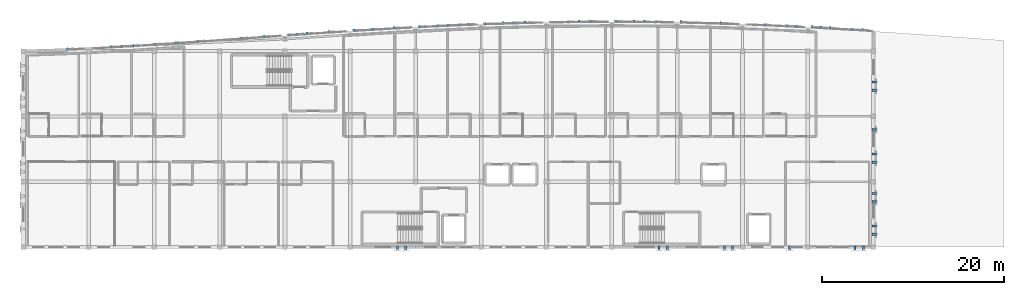
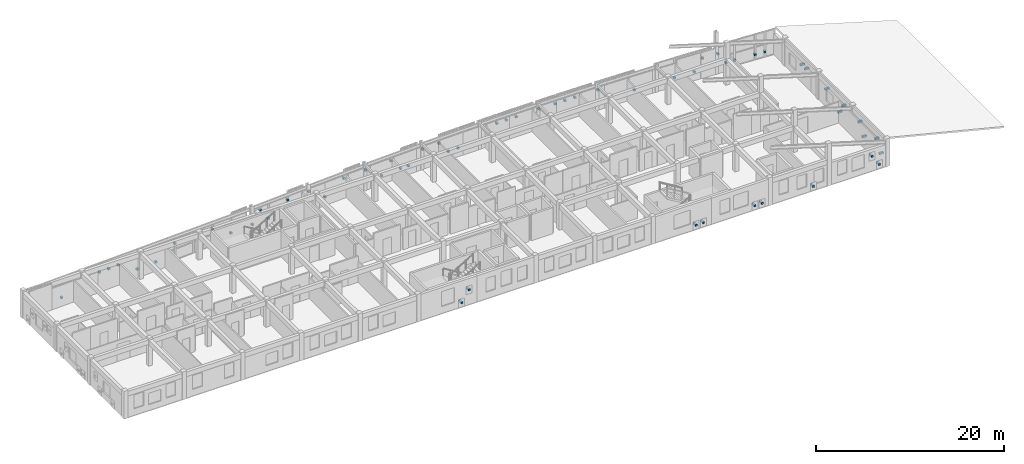
# One storey, part 32 of 34: 60 discrete accessories.
"""IFC4 building model written with IfcOpenShell, lengths in metres."""

from ifc_helpers import new_model, si_unit, direction, frame, origin, origin_2d, place, context, subcontext, project, spatial, rectangle, extrude, material, type_object, element, save


model = new_model("IFC4")

# Units and contexts
model_context = context("Model", 3, precision=1e-05, world=origin(), true_north=direction((0.0, 1.0)))
body_context = subcontext(model_context, "Body", "Model", "MODEL_VIEW")
ifc_project = project(units=[si_unit("LENGTHUNIT", "METRE"), si_unit("AREAUNIT", "SQUARE_METRE"), si_unit("VOLUMEUNIT", "CUBIC_METRE"), si_unit("PLANEANGLEUNIT", "RADIAN"), si_unit("MASSUNIT", "GRAM", prefix="KILO")], contexts=[model_context])

# Site, building, storey
site_placement = place(None, origin())
site = spatial("IfcSite", under=ifc_project, at=site_placement, CompositionType="ELEMENT")
building_placement = place(site_placement, origin())
building = spatial("IfcBuilding", under=site, at=building_placement, Name="Carrowvane Square Congress Hotel", CompositionType="ELEMENT")
storey_placement = place(building_placement, frame((0.0, 0.0, 40.800048828125)))
storey = spatial("IfcBuildingStorey", under=building, at=storey_placement, Name="L10", CompositionType="ELEMENT", Elevation=40.800048828125)

# Discrete accessories
ifc_material = material(Name="Stainless steel 316", Category="steel")
discrete_accessory_type = type_object("IfcDiscreteAccessoryType", Name="ACC-BRK-SS", PredefinedType="BRACKET", material=ifc_material)
for number, where, z_axis, x_axis, name in (
    (1, (38.03125, 113.62255859375, 0.56005859375), (0.0, 0.0, 1.0), (0.99891730083, 0.046521243556, 0.0), "Pixel screen mullion bracket 931"),
    (2, (42.830322265625, 113.86328125, 2.02978515625), (0.0, 0.0, 1.0), (0.998258866948, 0.05898503675, 0.0), "Pixel screen mullion bracket 932"),
    (3, (43.995361328125, 113.93212890625, 2.02978515625), (0.0, 0.0, 1.0), (0.998258866948, 0.05898503675, 0.0), "Pixel screen mullion bracket 933"),
    (4, (45.224853515625, 114.0048828125, 2.02978515625), (0.0, 0.0, 1.0), (0.997996022269, 0.063276690295, 0.0), "Pixel screen mullion bracket 934"),
    (5, (47.629638671875, 114.157470703125, 0.56005859375), (0.0, 0.0, 1.0), (0.997781458784, 0.066574473385, 0.0), "Pixel screen mullion bracket 935"),
    (6, (50.0244140625, 114.3173828125, 0.56005859375), (0.0, 0.0, 1.0), (0.99761759323, 0.068986503591, 0.0), "Pixel screen mullion bracket 936"),
    (7, (52.42919921875, 114.483642578125, 2.02978515625), (0.0, 0.0, 1.0), (0.997505756275, 0.070585169822, 0.0), "Pixel screen mullion bracket 937"),
    (8, (57.229248046875, 114.825439453125, 2.02978515625), (0.0, 0.0, 1.0), (0.997438267187, 0.071532532122, 0.0), "Pixel screen mullion bracket 938"),
    (9, (59.624267578125, 114.9970703125, 0.56005859375), (0.0, 0.0, 1.0), (0.997479379392, 0.070956942496, 0.0), "Pixel screen mullion bracket 939"),
    (10, (62.386474609375, 115.193115234375, 0.56005859375), (0.0, 0.0, 1.0), (0.997566258056, 0.069724893606, 0.0), "Pixel screen mullion bracket 940"),
    (11, (63.373046875, 115.26220703125, 2.02978515625), (0.0, 0.0, 1.0), (0.997566258056, 0.069724893606, 0.0), "Pixel screen mullion bracket 941"),
    (12, (64.424560546875, 115.33544921875, 0.56005859375), (0.0, 0.0, 1.0), (0.9976944394, 0.067866085713, 0.0), "Pixel screen mullion bracket 942"),
    (13, (66.82958984375, 115.4990234375, 2.02978515625), (0.0, 0.0, 1.0), (0.99785825325, 0.065413350476, 0.0), "Pixel screen mullion bracket 943"),
    (14, (69.5849609375, 115.678466796875, 2.02978515625), (0.0, 0.0, 1.0), (0.998051413269, 0.062396926785, 0.0), "Pixel screen mullion bracket 944"),
    (15, (71.630126953125, 115.80615234375, 0.56005859375), (0.0, 0.0, 1.0), (0.998266695506, 0.05885239709, 0.0), "Pixel screen mullion bracket 945"),
    (16, (74.025634765625, 115.947265625, 2.02978515625), (0.0, 0.0, 1.0), (0.998496552462, 0.054814548441, 0.0), "Pixel screen mullion bracket 946"),
    (17, (76.79541015625, 116.09765625, 2.02978515625), (0.0, 0.0, 1.0), (0.998733066647, 0.050321581706, 0.0), "Pixel screen mullion bracket 947"),
    (18, (78.826416015625, 116.19970703125, 0.56005859375), (0.0, 0.0, 1.0), (0.998968255262, 0.045413929349, 0.0), "Pixel screen mullion bracket 948"),
    (19, (79.996337890625, 116.2529296875, 2.02978515625), (0.0, 0.0, 1.0), (0.998968255262, 0.045413929349, 0.0), "Pixel screen mullion bracket 949"),
    (20, (81.231689453125, 116.308837890625, 0.56005859375), (0.0, 0.0, 1.0), (0.999194294234, 0.040134304148, 0.0), "Pixel screen mullion bracket 950"),
    (21, (82.197265625, 116.34765625, 0.56005859375), (0.0, 0.0, 1.0), (0.999194294234, 0.040134304148, 0.0), "Pixel screen mullion bracket 951"),
    (22, (83.997802734375, 116.417724609375, 2.02978515625), (0.0, 0.0, 1.0), (0.999403768784, 0.034526901703, 0.0), "Pixel screen mullion bracket 952"),
    (23, (86.03271484375, 116.48779296875, 2.02978515625), (0.0, 0.0, 1.0), (0.999589805464, 0.028639497417, 0.0), "Pixel screen mullion bracket 953"),
    (24, (87.19775390625, 116.521240234375, 0.56005859375), (0.0, 0.0, 1.0), (0.999589805464, 0.028639497417, 0.0), "Pixel screen mullion bracket 954"),
    (25, (88.42822265625, 116.556396484375, 0.56005859375), (0.0, 0.0, 1.0), (0.999746418061, 0.022518871507, 0.0), "Pixel screen mullion bracket 955"),
    (26, (93.229248046875, 116.64892578125, 2.02978515625), (0.0, 0.0, 1.0), (0.999952150705, 0.009782448565, 0.0), "Pixel screen mullion bracket 956"),
    (27, (94.399169921875, 116.660400390625, 2.02978515625), (0.0, 0.0, 1.0), (0.999952150705, 0.009782448565, 0.0), "Pixel screen mullion bracket 957"),
    (28, (95.634765625, 116.67236328125, 2.02978515625), (0.0, 0.0, 1.0), (0.999994654955, 0.003269565853, 0.0), "Pixel screen mullion bracket 958"),
    (29, (98.4150390625, 116.6787109375, 2.02978515625), (0.0, 0.0, 1.0), (0.999994654955, -0.003269565853, 0.0), "Pixel screen mullion bracket 959"),
    (30, (100.435791015625, 116.671875, 2.02978515625), (0.0, 0.0, 1.0), (0.999952150705, -0.009782448565, 0.0), "Pixel screen mullion bracket 960"),
    (31, (101.600830078125, 116.660400390625, 2.02978515625), (0.0, 0.0, 1.0), (0.999952150705, -0.009782448565, 0.0), "Pixel screen mullion bracket 961"),
    (32, (102.831298828125, 116.648193359375, 2.02978515625), (0.0, 0.0, 1.0), (0.999868508772, -0.016216200758, 0.0), "Pixel screen mullion bracket 962"),
    (33, (105.629150390625, 116.60009765625, 2.02978515625), (0.0, 0.0, 1.0), (0.999746418061, -0.022518871507, 0.0), "Pixel screen mullion bracket 963"),
    (34, (110.037841796875, 116.485595703125, 0.56005859375), (0.0, 0.0, 1.0), (0.999403768784, -0.034526901703, 0.0), "Pixel screen mullion bracket 964"),
    (35, (114.838623046875, 116.305908203125, 0.56005859375), (0.0, 0.0, 1.0), (0.998968255262, -0.045413929349, 0.0), "Pixel screen mullion bracket 965"),
    (36, (117.23388671875, 116.197021484375, 0.56005859375), (0.0, 0.0, 1.0), (0.998733066647, -0.050321581706, 0.0), "Pixel screen mullion bracket 966"),
    (37, (118.2216796875, 116.147216796875, 2.02978515625), (0.0, 0.0, 1.0), (0.998733066647, -0.050321581706, 0.0), "Pixel screen mullion bracket 967"),
    (38, (120.043701171875, 116.05322265625, 2.02978515625), (0.0, 0.0, 1.0), (0.998496552462, -0.054814548441, 0.0), "Pixel screen mullion bracket 968"),
    (39, (121.006591796875, 116.00048828125, 0.56005859375), (0.0, 0.0, 1.0), (0.998496552462, -0.054814548441, 0.0), "Pixel screen mullion bracket 969"),
    (40, (122.03466796875, 115.94384765625, 0.56005859375), (0.0, 0.0, 1.0), (0.998266695506, -0.05885239709, 0.0), "Pixel screen mullion bracket 970"),
    (41, (124.43994140625, 115.802001953125, 0.56005859375), (0.0, 0.0, 1.0), (0.998051413269, -0.062396926785, 0.0), "Pixel screen mullion bracket 971"),
    (42, (125.60498046875, 115.729248046875, 0.56005859375), (0.0, 0.0, 1.0), (0.998051413269, -0.062396926785, 0.0), "Pixel screen mullion bracket 972"),
):
    element("IfcDiscreteAccessory", number, at=place(storey_placement, frame(where, z_axis=z_axis, x_axis=x_axis)), inside=storey, type_object=discrete_accessory_type, Name=name, PredefinedType="BRACKET", context=body_context, shape_type="SweptSolid", body=[
        extrude(rectangle(XDim=0.239990234375, YDim=0.280029296875, at=origin_2d()), origin(), (0.0, 0.0, 1.0), 0.239990234375),
    ])
for number, where, z_axis, x_axis, name in (
    (43, (126.925048828125, 109.974365234375, 1.93017578125), (0.0, 0.0, 1.0), (0.0, -1.0, 0.0), "V5 pixel screen bracket 973"),
    (44, (126.925048828125, 109.07421875, 1.93017578125), (0.0, 0.0, 1.0), (0.0, -1.0, 0.0), "V5 pixel screen bracket 974"),
    (45, (126.925048828125, 104.74951171875, 1.93017578125), (0.0, 0.0, 1.0), (0.0, -1.0, 0.0), "V5 pixel screen bracket 975"),
    (46, (126.925048828125, 102.049560546875, 0.56005859375), (0.0, 0.0, 1.0), (0.0, -1.0, 0.0), "V5 pixel screen bracket 976"),
    (47, (126.925048828125, 101.1494140625, 1.93017578125), (0.0, 0.0, 1.0), (0.0, -1.0, 0.0), "V5 pixel screen bracket 977"),
    (48, (126.925048828125, 97.724853515625, 1.93017578125), (0.0, 0.0, 1.0), (0.0, -1.0, 0.0), "V5 pixel screen bracket 978"),
    (49, (126.925048828125, 96.82470703125, 0.56005859375), (0.0, 0.0, 1.0), (0.0, -1.0, 0.0), "V5 pixel screen bracket 979"),
    (50, (126.925048828125, 94.124755859375, 1.93017578125), (0.0, 0.0, 1.0), (0.0, -1.0, 0.0), "V5 pixel screen bracket 980"),
    (51, (126.925048828125, 93.224853515625, 0.56005859375), (0.0, 0.0, 1.0), (0.0, -1.0, 0.0), "V5 pixel screen bracket 981"),
    (52, (125.699951171875, 91.675048828125, 0.56005859375), (0.0, 0.0, 1.0), (-1.0, 0.0, 0.0), "V5 pixel screen bracket 982"),
    (53, (124.800048828125, 91.675048828125, 1.93017578125), (0.0, 0.0, 1.0), (-1.0, 0.0, 0.0), "V5 pixel screen bracket 983"),
    (54, (117.60009765625, 91.675048828125, 0.56005859375), (0.0, 0.0, 1.0), (-1.0, 0.0, 0.0), "V5 pixel screen bracket 984"),
    (55, (111.300048828125, 91.675048828125, 0.56005859375), (0.0, 0.0, 1.0), (-1.0, 0.0, 0.0), "V5 pixel screen bracket 985"),
    (56, (110.39990234375, 91.675048828125, 0.56005859375), (0.0, 0.0, 1.0), (-1.0, 0.0, 0.0), "V5 pixel screen bracket 986"),
    (57, (104.10009765625, 91.675048828125, 0.56005859375), (0.0, 0.0, 1.0), (-1.0, 0.0, 0.0), "V5 pixel screen bracket 987"),
    (58, (103.199951171875, 91.675048828125, 0.56005859375), (0.0, 0.0, 1.0), (-1.0, 0.0, 0.0), "V5 pixel screen bracket 988"),
    (59, (75.300048828125, 91.675048828125, 1.93017578125), (0.0, 0.0, 1.0), (-1.0, 0.0, 0.0), "V5 pixel screen bracket 989"),
    (60, (74.39990234375, 91.675048828125, 0.56005859375), (0.0, 0.0, 1.0), (-1.0, 0.0, 0.0), "V5 pixel screen bracket 990"),
):
    element("IfcDiscreteAccessory", number, at=place(storey_placement, frame(where, z_axis=z_axis, x_axis=x_axis)), inside=storey, type_object=discrete_accessory_type, Name=name, PredefinedType="BRACKET", context=body_context, shape_type="SweptSolid", body=[
        extrude(rectangle(XDim=0.239990234375, YDim=0.52001953125, at=origin_2d()), origin(), (0.0, 0.0, 1.0), 0.239990234375),
    ])

save(model, "model.ifc")
